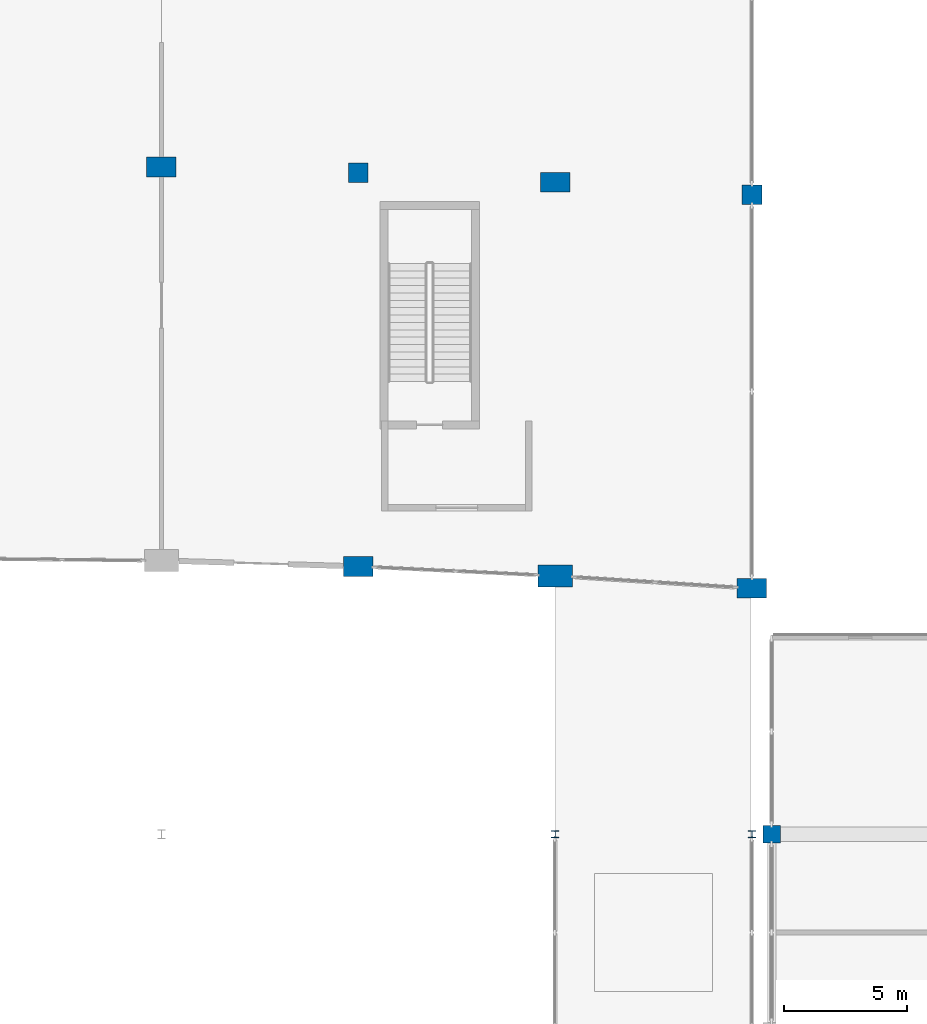
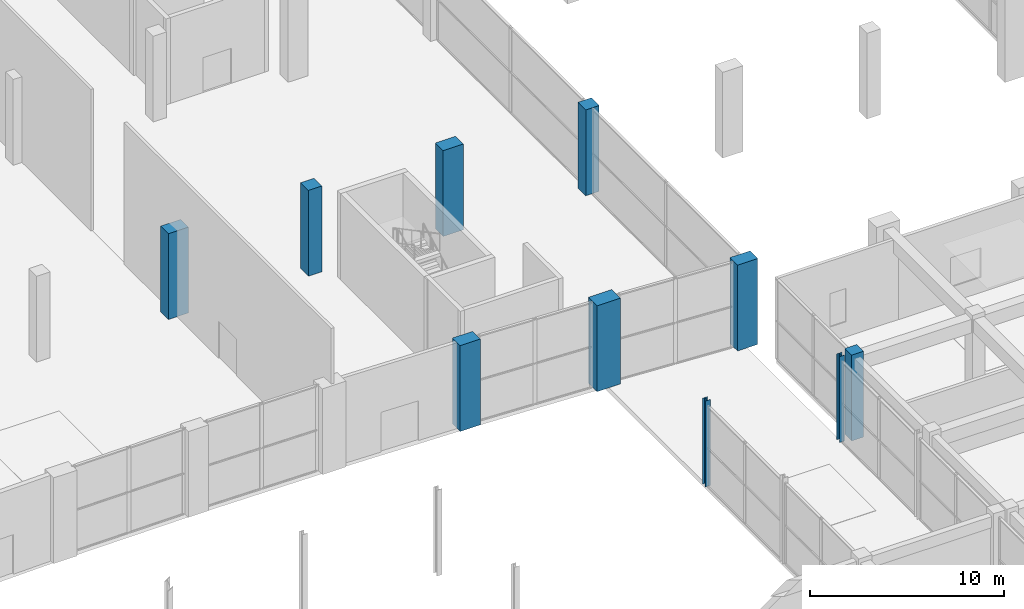
# One storey, part 13 of 86: 10 columns.
"""IFC4 building model written with IfcOpenShell, lengths in metres."""

from ifc_helpers import new_model, si_unit, direction, frame, origin, origin_2d, place, context, subcontext, project, spatial, rectangle, i_section, extrude, material, material_profile, profile_set, type_object, element, save


model = new_model("IFC4")

# Units and contexts
model_context = context("Model", 3, precision=1e-05, world=origin(), true_north=direction((0.0, 1.0)))
body_context = subcontext(model_context, "Body", "Model", "MODEL_VIEW")
ifc_project = project(units=[si_unit("LENGTHUNIT", "METRE"), si_unit("AREAUNIT", "SQUARE_METRE"), si_unit("VOLUMEUNIT", "CUBIC_METRE"), si_unit("PLANEANGLEUNIT", "RADIAN"), si_unit("MASSUNIT", "GRAM", prefix="KILO")], contexts=[model_context])

# Site, building, storey
site_placement = place(None, origin())
site = spatial("IfcSite", under=ifc_project, at=site_placement, CompositionType="ELEMENT")
building_placement = place(site_placement, origin())
building = spatial("IfcBuilding", under=site, at=building_placement, Name="Kenh Van Central Station", CompositionType="ELEMENT")
storey_placement = place(building_placement, origin())
storey = spatial("IfcBuildingStorey", under=building, at=storey_placement, Name="L00", CompositionType="ELEMENT", Elevation=0.0)

# Columns
ifc_material_1 = material(Name="Concrete C40/50", Category="concrete")
ifc_material_profile_1 = material_profile(ifc_material_1, rectangle(XDim=1.199951171875, YDim=0.800048828125, at=origin_2d()), Name="RC 1200x800")
ifc_profile_set_1 = profile_set([ifc_material_profile_1], Name="Concrete C40/50")
column_type_1 = type_object("IfcColumnType", Name="COL-PIER-1200x800", PredefinedType="COLUMN", material=ifc_profile_set_1)
for number, where, z_axis, x_axis, name in (
    (1, (96.0, 83.119873046875, 0.0), (0.0, 0.0, 1.0), (1.0, 0.0, 0.0), "L00 column VP-08-1"),
    (2, (104.0, 66.883056640625, 0.0), (0.0, 0.0, 1.0), (1.0, 0.0, 0.0), "L00 column VPI-09-0"),
    (3, (112.0, 82.501953125, 0.0), (0.0, 0.0, 1.0), (1.0, 0.0, 0.0), "L00 column VP-10-1"),
    (4, (120.0, 65.9951171875, 0.0), (0.0, 0.0, 1.0), (1.0, 0.0, 0.0), "L00 column VPI-11-0"),
):
    element("IfcColumn", number, at=place(storey_placement, frame(where, z_axis=z_axis, x_axis=x_axis)), inside=storey, type_object=column_type_1, Name=name, PredefinedType="COLUMN", context=body_context, shape_type="SweptSolid", body=[
        extrude(rectangle(XDim=1.199951171875, YDim=0.800048828125, at=origin_2d()), origin(), (0.0, 0.0, 1.0), 5.39990234375),
    ])
ifc_material_profile_2 = material_profile(ifc_material_1, rectangle(XDim=1.39990234375, YDim=0.89990234375, at=origin_2d()), Name="RC 1400x900")
ifc_profile_set_2 = profile_set([ifc_material_profile_2], Name="Concrete C40/50")
column_type_2 = type_object("IfcColumnType", Name="COL-PIER-1400x900", PredefinedType="COLUMN", material=ifc_profile_set_2)
column_1_placement = place(storey_placement, frame((112.0, 66.501953125, 0.0), z_axis=(0.0, 0.0, 1.0), x_axis=(1.0, 0.0, 0.0)))
element("IfcColumn", 5, at=column_1_placement, inside=storey, type_object=column_type_2, Name="L00 column VP-10-0", PredefinedType="COLUMN", context=body_context, shape_type="SweptSolid", body=[
    extrude(rectangle(XDim=1.39990234375, YDim=0.89990234375, at=origin_2d()), origin(), (0.0, 0.0, 1.0), 5.39990234375),
])
ifc_material_profile_3 = material_profile(ifc_material_1, rectangle(XDim=0.699951171875, YDim=0.699951171875, at=origin_2d()), Name="RC 700x700")
ifc_profile_set_3 = profile_set([ifc_material_profile_3], Name="Concrete C40/50")
column_type_3 = type_object("IfcColumnType", Name="COL-RC-700x700", PredefinedType="COLUMN", material=ifc_profile_set_3)
column_2_placement = place(storey_placement, frame((120.800048828125, 56.0, 0.0), z_axis=(0.0, 0.0, 1.0), x_axis=(1.0, 0.0, 0.0)))
element("IfcColumn", 6, at=column_2_placement, inside=storey, type_object=column_type_3, Name="L00 column CE-1208-056", PredefinedType="COLUMN", context=body_context, shape_type="SweptSolid", body=[
    extrude(rectangle(XDim=0.699951171875, YDim=0.699951171875, at=origin_2d()), origin(), (0.0, 0.0, 1.0), 5.39990234375),
])
ifc_material_profile_4 = material_profile(ifc_material_1, rectangle(XDim=0.800048828125, YDim=0.800048828125, at=origin_2d()), Name="RC 800x800")
ifc_profile_set_4 = profile_set([ifc_material_profile_4], Name="Concrete C40/50")
column_type_4 = type_object("IfcColumnType", Name="COL-RC-800x800", PredefinedType="COLUMN", material=ifc_profile_set_4)
for number, where, z_axis, x_axis, name in (
    (7, (104.0, 82.883056640625, 0.0), (0.0, 0.0, 1.0), (1.0, 0.0, 0.0), "L00 column VP-09-1"),
    (8, (120.0, 81.9951171875, 0.0), (0.0, 0.0, 1.0), (1.0, 0.0, 0.0), "L00 column VP-11-1"),
):
    element("IfcColumn", number, at=place(storey_placement, frame(where, z_axis=z_axis, x_axis=x_axis)), inside=storey, type_object=column_type_4, Name=name, PredefinedType="COLUMN", context=body_context, shape_type="SweptSolid", body=[
        extrude(rectangle(XDim=0.800048828125, YDim=0.800048828125, at=origin_2d()), origin(), (0.0, 0.0, 1.0), 5.39990234375),
    ])
ifc_material_2 = material(Name="Steel S355", Category="steel")
ifc_material_profile_5 = material_profile(ifc_material_2, i_section(OverallWidth=0.300048828125, OverallDepth=0.300048828125, WebThickness=0.010986328125, FlangeThickness=0.01904296875, FilletRadius=0.027099609375, at=origin_2d()), Name="HEB 300")
ifc_profile_set_5 = profile_set([ifc_material_profile_5], Name="Steel S355")
column_type_5 = type_object("IfcColumnType", Name="COL-STL-HEB300", PredefinedType="COLUMN", material=ifc_profile_set_5)
for number, where, z_axis, x_axis, name in (
    (9, (112.0, 56.0, 0.0), (0.0, 0.0, 1.0), (1.0, 0.0, 0.0), "L00 column CL-112-056"),
    (10, (120.0, 56.0, 0.0), (0.0, 0.0, 1.0), (1.0, 0.0, 0.0), "L00 column CL-120-056"),
):
    element("IfcColumn", number, at=place(storey_placement, frame(where, z_axis=z_axis, x_axis=x_axis)), inside=storey, type_object=column_type_5, Name=name, PredefinedType="COLUMN", context=body_context, shape_type="SweptSolid", body=[
        extrude(i_section(OverallWidth=0.300048828125, OverallDepth=0.300048828125, WebThickness=0.010986328125, FlangeThickness=0.01904296875, FilletRadius=0.027099609375, at=origin_2d()), origin(), (0.0, 0.0, 1.0), 5.39990234375),
    ])

save(model, "model.ifc")
